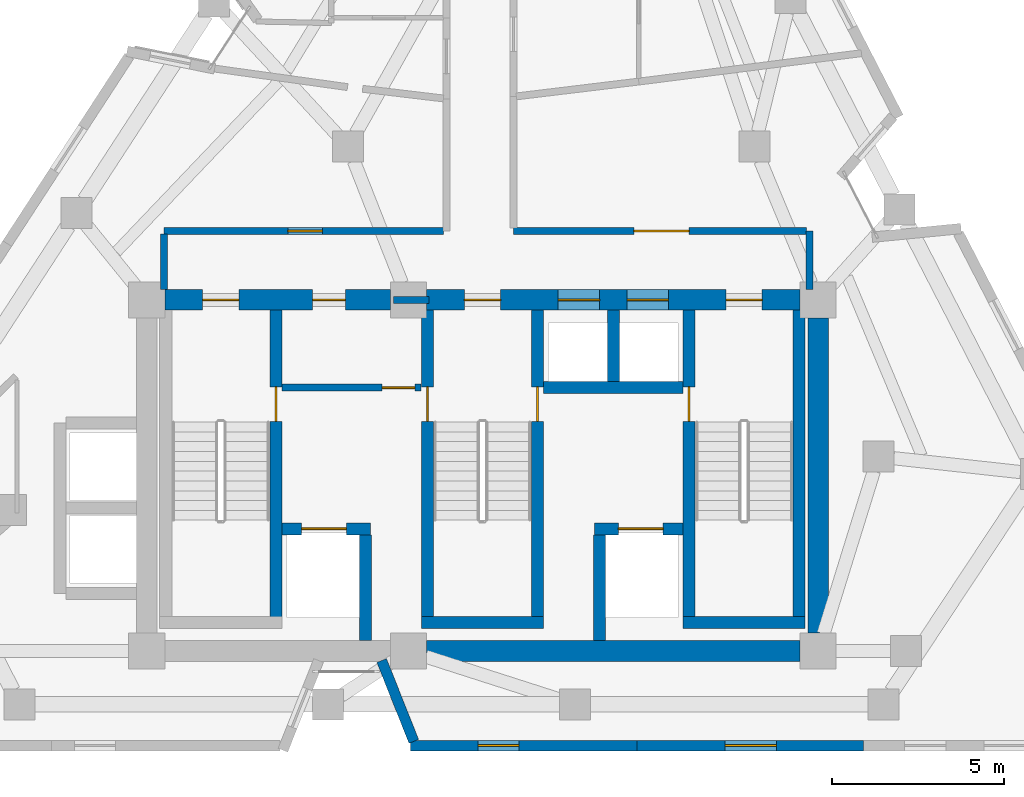
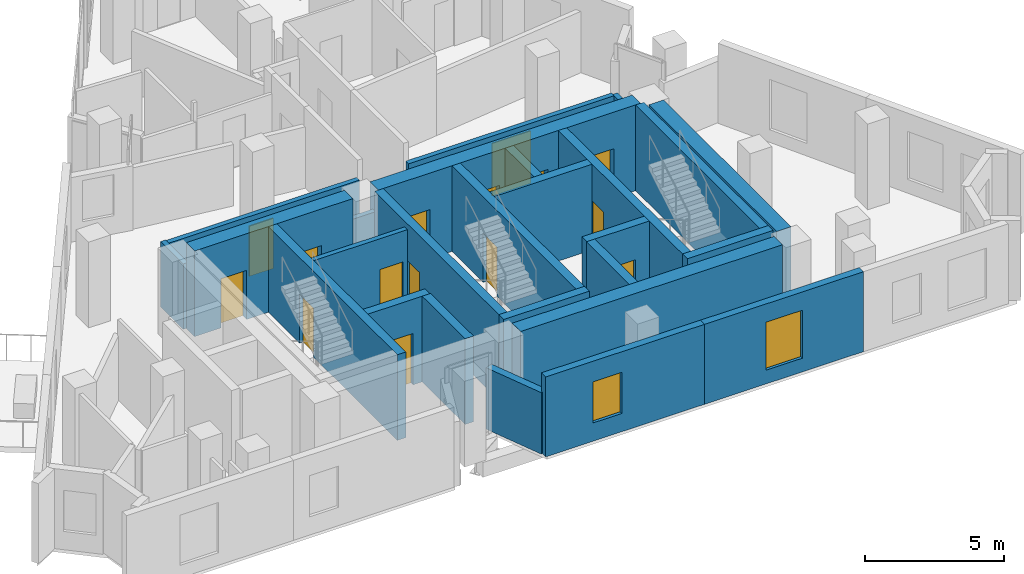
# One storey, part 6 of 11: 26 walls, 15 doors, 2 windows, 17 openings.
"""IFC4 building model written with IfcOpenShell, lengths in metres."""

from ifc_helpers import new_model, si_unit, direction, frame, frame_2d, origin, place, context, subcontext, project, spatial, rectangle, extrude, material, layer, layer_set, type_object, element, fill, save


model = new_model("IFC4")

# Units and contexts
model_context = context("Model", 3, precision=1e-05, world=origin(), true_north=direction((0.0, 1.0)))
body_context = subcontext(model_context, "Body", "Model", "MODEL_VIEW")
ifc_project = project(units=[si_unit("LENGTHUNIT", "METRE"), si_unit("AREAUNIT", "SQUARE_METRE"), si_unit("VOLUMEUNIT", "CUBIC_METRE"), si_unit("PLANEANGLEUNIT", "RADIAN"), si_unit("MASSUNIT", "GRAM", prefix="KILO")], contexts=[model_context])

# Site, building, storey
site_placement = place(None, origin())
site = spatial("IfcSite", under=ifc_project, at=site_placement, CompositionType="ELEMENT")
building_placement = place(site_placement, origin())
building = spatial("IfcBuilding", under=site, at=building_placement, Name="Almagre Mirador Tower", CompositionType="ELEMENT")
storey_placement = place(building_placement, frame((0.0, 0.0, 218.25)))
storey = spatial("IfcBuildingStorey", under=building, at=storey_placement, Name="L56", CompositionType="ELEMENT", Elevation=218.25)

# Wall, opening, window
ifc_material_1 = material(Name="Precast concrete C50/60", Category="concrete")
ifc_layer_1 = layer(ifc_material_1, 0.300048828125)
ifc_layer_set_1 = layer_set([ifc_layer_1], Name="Precast concrete C50/60")
wall_type_1 = type_object("IfcWallType", Name="WAL-EXT-300", PredefinedType="SOLIDWALL", material=ifc_layer_set_1)
wall_1_placement = place(storey_placement, frame((48.365234375, 1.800048828125, 0.0), z_axis=(0.0, 0.0, 1.0), x_axis=(-1.0, 0.0, 0.0)))
wall_1 = element("IfcWall", 1, at=wall_1_placement, inside=storey, type_object=wall_type_1, Name="L56 expressed almagre precast frame wall 20", PredefinedType="SOLIDWALL", context=body_context, shape_type="SweptSolid", body=[
    extrude(rectangle(XDim=6.574462890625, YDim=0.300048828125, at=frame_2d((3.287109375, 0.0))), origin(), (0.0, 0.0, 1.0), 3.5),
])
opening_1_placement = place(wall_1_placement, frame((2.52490234375, 0.0, 0.60009765625)))
opening_1 = element("IfcOpeningElement", 2, at=opening_1_placement, cuts=wall_1, Name="Opening WN-03", PredefinedType="OPENING", context=body_context, shape_type="SweptSolid", body=[
    extrude(rectangle(XDim=1.5, YDim=2.10009765625, at=frame_2d((0.75, 1.050048828125))), frame((0.0, 0.159902, 0.0), z_axis=(0.0, -1.0, 0.0), x_axis=(1.0, 0.0, 0.0)), (0.0, 0.0, 1.0), 0.320049),
])
ifc_material_2 = material(Name="Dark solar-control laminated hurricane glass", Category="glass")
window_type_1 = type_object("IfcWindowType", Name="WIN-1500X2100", PartitioningType="DOUBLE_PANEL_VERTICAL", PredefinedType="WINDOW", material=ifc_material_2)
window_1_placement = place(opening_1_placement, origin())
window_1 = element("IfcWindow", 3, at=window_1_placement, inside=storey, type_object=window_type_1, Name="L56 recessed hurricane window L56-UB-ST", OverallHeight=2.10009765625, OverallWidth=1.5, PartitioningType="SINGLE_PANEL", PredefinedType="WINDOW", context=body_context, shape_type="SweptSolid", body=[
    extrude(rectangle(XDim=1.5, YDim=2.10009765625, at=frame_2d((0.75, 1.050048828125))), frame((0.0, 0.030029296875, 0.0), z_axis=(0.0, -1.0, 0.0), x_axis=(1.0, 0.0, 0.0)), (0.0, 0.0, 1.0), 0.06005859375),
])
fill(opening_1, window_1)

wall_2_placement = place(storey_placement, frame((41.790771484375, 1.800048828125, 0.0), z_axis=(0.0, 0.0, 1.0), x_axis=(-1.0, 0.0, 0.0)))
wall_2 = element("IfcWall", 4, at=wall_2_placement, inside=storey, type_object=wall_type_1, Name="L56 expressed almagre precast frame wall 21", PredefinedType="SOLIDWALL", context=body_context, shape_type="SweptSolid", body=[
    extrude(rectangle(XDim=6.57470703125, YDim=0.300048828125, at=frame_2d((3.287353515625, 0.0))), origin(), (0.0, 0.0, 1.0), 3.5),
])
opening_2_placement = place(wall_2_placement, frame((3.425048828125, 0.0, 0.800048828125)))
opening_2 = element("IfcOpeningElement", 5, at=opening_2_placement, cuts=wall_2, Name="Opening WN-04", PredefinedType="OPENING", context=body_context, shape_type="SweptSolid", body=[
    extrude(rectangle(XDim=1.199951171875, YDim=1.800048828125, at=frame_2d((0.60009765625, 0.89990234375))), frame((0.0, 0.159902, 0.0), z_axis=(0.0, -1.0, 0.0), x_axis=(1.0, 0.0, 0.0)), (0.0, 0.0, 1.0), 0.320049),
])
ifc_material_3 = material(Name="Dark solar-control laminated hurricane glass", Category="glass")
window_type_2 = type_object("IfcWindowType", Name="WIN-1200X1800", PartitioningType="SINGLE_PANEL", PredefinedType="WINDOW", material=ifc_material_3)
window_2_placement = place(opening_2_placement, origin())
window_2 = element("IfcWindow", 6, at=window_2_placement, inside=storey, type_object=window_type_2, Name="L56 recessed hurricane window L56-UB-KT", OverallHeight=1.800048828125, OverallWidth=1.199951171875, PartitioningType="SINGLE_PANEL", PredefinedType="WINDOW", context=body_context, shape_type="SweptSolid", body=[
    extrude(rectangle(XDim=1.199951171875, YDim=1.800048828125, at=frame_2d((0.60009765625, 0.89990234375))), frame((0.0, 0.030029296875, 0.0), z_axis=(0.0, -1.0, 0.0), x_axis=(1.0, 0.0, 0.0)), (0.0, 0.0, 1.0), 0.06005859375),
])
fill(opening_2, window_2)

# Walls
wall_3_placement = place(storey_placement, frame((35.30615234375, 1.92529296875, 0.0), z_axis=(0.0, 0.0, 1.0), x_axis=(-0.369540985735, 0.929214431583, 0.0)))
element("IfcWall", 7, at=wall_3_placement, inside=storey, type_object=wall_type_1, Name="L56 expressed almagre precast frame wall 22", PredefinedType="SOLIDWALL", context=body_context, shape_type="SweptSolid", body=[
    extrude(rectangle(XDim=2.527099609375, YDim=0.300048828125, at=frame_2d((1.263671875, 0.0))), origin(), (0.0, 0.0, 1.0), 2.68994140625),
])
ifc_material_4 = material(Name="Gypsum acoustic stud partition", Category="other")
ifc_layer_2 = layer(ifc_material_4, 0.199951171875)
ifc_layer_set_2 = layer_set([ifc_layer_2], Name="Gypsum acoustic stud partition")
wall_type_2 = type_object("IfcWallType", Name="WAL-PRT-200-EI60", PredefinedType="PARTITIONING", material=ifc_layer_set_2)
wall_4_placement = place(storey_placement, frame((34.719970703125, 14.75, 0.0), z_axis=(0.0, 0.0, 1.0), x_axis=(1.0, 0.0, 0.0)))
element("IfcWall", 8, at=wall_4_placement, inside=storey, type_object=wall_type_2, Name="L56 core north closure wall", PredefinedType="PARTITIONING", context=body_context, shape_type="SweptSolid", body=[
    extrude(rectangle(XDim=1.030029296875, YDim=0.199951171875, at=frame_2d((0.51513671875, 0.0))), origin(), (0.0, 0.0, 1.0), 2.68505859375),
])

# Wall, opening, door
wall_5_placement = place(storey_placement, frame((31.47998046875, 12.199951171875, 0.0), z_axis=(0.0, 0.0, 1.0), x_axis=(1.0, 0.0, 0.0)))
wall_5 = element("IfcWall", 9, at=wall_5_placement, inside=storey, type_object=wall_type_2, Name="L56 FFL-1 north enclosure wall", PredefinedType="PARTITIONING", context=body_context, shape_type="SweptSolid", body=[
    extrude(rectangle(XDim=4.0400390625, YDim=0.199951171875, at=frame_2d((2.02001953125, 0.0))), origin(), (0.0, 0.0, 1.0), 3.5),
])
opening_3_placement = place(wall_5_placement, frame((2.905029296875, 0.0, 0.0)))
opening_3 = element("IfcOpeningElement", 10, at=opening_3_placement, cuts=wall_5, Name="Opening ID-02", PredefinedType="OPENING", context=body_context, shape_type="SweptSolid", body=[
    extrude(rectangle(XDim=0.949951171875, YDim=2.14990234375, at=frame_2d((0.47509765625, 1.074951171875))), frame((0.0, 0.110098, 0.0), z_axis=(0.0, -1.0, 0.0), x_axis=(1.0, 0.0, 0.0)), (0.0, 0.0, 1.0), 0.219951),
])
ifc_material_5 = material(Name="Fire-rated walnut timber", Category="wood")
door_type_1 = type_object("IfcDoorType", Name="DOR-FD60-950X2150", OperationType="NOTDEFINED", PredefinedType="DOOR", material=ifc_material_5)
door_1_placement = place(opening_3_placement, origin())
door_1 = element("IfcDoor", 11, at=door_1_placement, inside=storey, type_object=door_type_1, Name="DR-1729 L56 FFL-1 north smoke door", OperationType="SINGLE_SWING_LEFT", OverallHeight=2.14990234375, OverallWidth=0.949951171875, PredefinedType="DOOR", context=body_context, shape_type="SweptSolid", body=[
    extrude(rectangle(XDim=0.949951171875, YDim=2.14990234375, at=frame_2d((0.47509765625, 1.074951171875))), frame((0.0, 0.02490234375, 0.0), z_axis=(0.0, -1.0, 0.0), x_axis=(1.0, 0.0, 0.0)), (0.0, 0.0, 1.0), 0.050048828125),
])
fill(opening_3, door_1)

wall_6_placement = place(storey_placement, frame((36.1650390625, 16.75, 0.0), z_axis=(0.0, 0.0, 1.0), x_axis=(-1.0, 0.0, 0.0)))
wall_6 = element("IfcWall", 12, at=wall_6_placement, inside=storey, type_object=wall_type_2, Name="L56 interior partition 002", PredefinedType="PARTITIONING", context=body_context, shape_type="SweptSolid", body=[
    extrude(rectangle(XDim=8.114990234375, YDim=0.199951171875, at=frame_2d((4.0576171875, 0.0))), origin(), (0.0, 0.0, 1.0), 2.68505859375),
])
opening_4_placement = place(wall_6_placement, frame((3.514892578125, 0.0, 0.0)))
opening_4 = element("IfcOpeningElement", 13, at=opening_4_placement, cuts=wall_6, Name="Opening ID-01", PredefinedType="OPENING", context=body_context, shape_type="SweptSolid", body=[
    extrude(rectangle(XDim=1.0, YDim=2.199951171875, at=frame_2d((0.5, 1.10009765625))), frame((0.0, 0.110098, 0.0), z_axis=(0.0, -1.0, 0.0), x_axis=(1.0, 0.0, 0.0)), (0.0, 0.0, 1.0), 0.219951),
])
ifc_material_6 = material(Name="Fire-rated walnut timber", Category="wood")
door_type_2 = type_object("IfcDoorType", Name="DOR-FD60-1000X2200", OperationType="NOTDEFINED", PredefinedType="DOOR", material=ifc_material_6)
door_2_placement = place(opening_4_placement, origin())
door_2 = element("IfcDoor", 14, at=door_2_placement, inside=storey, type_object=door_type_2, Name="DR-1735 L56 interior door L56-RCOR to L56-UD-ST", OperationType="SINGLE_SWING_LEFT", OverallHeight=2.199951171875, OverallWidth=1.0, PredefinedType="DOOR", context=body_context, shape_type="SweptSolid", body=[
    extrude(rectangle(XDim=1.0, YDim=2.199951171875, at=frame_2d((0.5, 1.10009765625))), frame((0.0, 0.02490234375, 0.0), z_axis=(0.0, -1.0, 0.0), x_axis=(1.0, 0.0, 0.0)), (0.0, 0.0, 1.0), 0.050048828125),
])
fill(opening_4, door_2)

# Walls
wall_7_placement = place(storey_placement, frame((28.050048828125, 16.6650390625, 0.0), z_axis=(0.0, 0.0, 1.0), x_axis=(0.0, -1.0, 0.0)))
element("IfcWall", 15, at=wall_7_placement, inside=storey, type_object=wall_type_2, Name="L56 interior partition 003", PredefinedType="PARTITIONING", context=body_context, shape_type="SweptSolid", body=[
    extrude(rectangle(XDim=1.614990234375, YDim=0.199951171875, at=frame_2d((0.8076171875, 0.0))), origin(), (0.0, 0.0, 1.0), 2.862060546875),
])
wall_8_placement = place(storey_placement, frame((46.800048828125, 15.050048828125, 0.0), z_axis=(0.0, 0.0, 1.0), x_axis=(0.0, 1.0, 0.0)))
element("IfcWall", 16, at=wall_8_placement, inside=storey, type_object=wall_type_2, Name="L56 interior partition 004", PredefinedType="PARTITIONING", context=body_context, shape_type="SweptSolid", body=[
    extrude(rectangle(XDim=1.699951171875, YDim=0.199951171875, at=frame_2d((0.85009765625, 0.0))), origin(), (0.0, 0.0, 1.0), 2.68505859375),
])

# Wall, opening, door
wall_9_placement = place(storey_placement, frame((46.715087890625, 16.75, 0.0), z_axis=(0.0, 0.0, 1.0), x_axis=(-1.0, 0.0, 0.0)))
wall_9 = element("IfcWall", 17, at=wall_9_placement, inside=storey, type_object=wall_type_2, Name="L56 interior partition 005", PredefinedType="PARTITIONING", context=body_context, shape_type="SweptSolid", body=[
    extrude(rectangle(XDim=8.51513671875, YDim=0.199951171875, at=frame_2d((4.257568359375, 0.0))), origin(), (0.0, 0.0, 1.0), 2.68505859375),
])
opening_5_placement = place(wall_9_placement, frame((3.4150390625, 0.0, 0.0)))
opening_5 = element("IfcOpeningElement", 18, at=opening_5_placement, cuts=wall_9, Name="Opening ID-05", PredefinedType="OPENING", context=body_context, shape_type="SweptSolid", body=[
    extrude(rectangle(XDim=1.60009765625, YDim=2.300048828125, at=frame_2d((0.800048828125, 1.14990234375))), frame((0.0, 0.110098, 0.0), z_axis=(0.0, -1.0, 0.0), x_axis=(1.0, 0.0, 0.0)), (0.0, 0.0, 1.0), 0.219951),
])
ifc_material_7 = material(Name="Fire-rated acoustic timber", Category="wood")
door_type_3 = type_object("IfcDoorType", Name="DOR-FD60-1600X2300", OperationType="DOUBLE_DOOR_SINGLE_SWING", PredefinedType="DOOR", material=ifc_material_7)
door_3_placement = place(opening_5_placement, origin())
door_3 = element("IfcDoor", 19, at=door_3_placement, inside=storey, type_object=door_type_3, Name="DR-1734 L56 interior door L56-RCOR to L56-RST-F", OperationType="DOUBLE_DOOR_SINGLE_SWING", OverallHeight=2.300048828125, OverallWidth=1.60009765625, PredefinedType="DOOR", context=body_context, shape_type="SweptSolid", body=[
    extrude(rectangle(XDim=1.60009765625, YDim=2.300048828125, at=frame_2d((0.800048828125, 1.14990234375))), frame((0.0, 0.02490234375, 0.0), z_axis=(0.0, -1.0, 0.0), x_axis=(1.0, 0.0, 0.0)), (0.0, 0.0, 1.0), 0.050048828125),
])
fill(opening_5, door_3)

ifc_material_8 = material(Name="Concrete C60/75", Category="concrete")
ifc_layer_3 = layer(ifc_material_8, 0.35009765625)
ifc_layer_set_3 = layer_set([ifc_layer_3], Name="Concrete C60/75")
wall_type_3 = type_object("IfcWallType", Name="WAL-SHF-350", PredefinedType="SOLIDWALL", material=ifc_layer_set_3)
wall_10_placement = place(storey_placement, frame((31.300048828125, 5.199951171875, 0.0), z_axis=(0.0, 0.0, 1.0), x_axis=(0.0, 1.0, 0.0)))
wall_10 = element("IfcWall", 20, at=wall_10_placement, inside=storey, type_object=wall_type_3, Name="L56 shaft wall ST1-E", PredefinedType="SOLIDWALL", context=body_context, shape_type="SweptSolid", body=[
    extrude(rectangle(XDim=9.25, YDim=0.35009765625, at=frame_2d((4.625, 0.0))), origin(), (0.0, 0.0, 1.0), 3.75),
])
opening_6_placement = place(wall_10_placement, frame((6.02001953125, 0.0, 0.0)))
opening_6 = element("IfcOpeningElement", 21, at=opening_6_placement, cuts=wall_10, Name="Opening FD-01", PredefinedType="OPENING", context=body_context, shape_type="SweptSolid", body=[
    extrude(rectangle(XDim=1.0, YDim=2.14990234375, at=frame_2d((0.5, 1.074951171875))), frame((0.0, 0.185049, 0.0), z_axis=(0.0, -1.0, 0.0), x_axis=(1.0, 0.0, 0.0)), (0.0, 0.0, 1.0), 0.370098),
])
ifc_material_9 = material(Name="Fire-rated hollow steel", Category="steel")
door_type_4 = type_object("IfcDoorType", Name="DOR-FFL-1000X2150", OperationType="NOTDEFINED", PredefinedType="DOOR", material=ifc_material_9)
door_4_placement = place(opening_6_placement, origin())
door_4 = element("IfcDoor", 22, at=door_4_placement, inside=storey, type_object=door_type_4, Name="DR-1730 L56 FFL1-ST1 smokeproof door", OperationType="SINGLE_SWING_LEFT", OverallHeight=2.14990234375, OverallWidth=1.0, PredefinedType="DOOR", context=body_context, shape_type="SweptSolid", body=[
    extrude(rectangle(XDim=1.0, YDim=2.14990234375, at=frame_2d((0.5, 1.074951171875))), frame((0.0, 0.02490234375, 0.0), z_axis=(0.0, -1.0, 0.0), x_axis=(1.0, 0.0, 0.0)), (0.0, 0.0, 1.0), 0.050048828125),
])
fill(opening_6, door_4)

wall_11_placement = place(storey_placement, frame((35.699951171875, 5.199951171875, 0.0), z_axis=(0.0, 0.0, 1.0), x_axis=(0.0, 1.0, 0.0)))
wall_11 = element("IfcWall", 23, at=wall_11_placement, inside=storey, type_object=wall_type_3, Name="L56 shaft wall ST2-W", PredefinedType="SOLIDWALL", context=body_context, shape_type="SweptSolid", body=[
    extrude(rectangle(XDim=9.25, YDim=0.35009765625, at=frame_2d((4.625, 0.0))), origin(), (0.0, 0.0, 1.0), 3.75),
])
opening_7_placement = place(wall_11_placement, frame((6.02001953125, 0.0, 0.0)))
opening_7 = element("IfcOpeningElement", 24, at=opening_7_placement, cuts=wall_11, Name="Opening FD-01", PredefinedType="OPENING", context=body_context, shape_type="SweptSolid", body=[
    extrude(rectangle(XDim=1.0, YDim=2.14990234375, at=frame_2d((0.5, 1.074951171875))), frame((0.0, 0.185049, 0.0), z_axis=(0.0, -1.0, 0.0), x_axis=(1.0, 0.0, 0.0)), (0.0, 0.0, 1.0), 0.370098),
])
door_5_placement = place(opening_7_placement, origin())
door_5 = element("IfcDoor", 25, at=door_5_placement, inside=storey, type_object=door_type_4, Name="DR-1731 L56 FFL1-ST2 smokeproof door", OperationType="SINGLE_SWING_RIGHT", OverallHeight=2.14990234375, OverallWidth=1.0, PredefinedType="DOOR", context=body_context, shape_type="SweptSolid", body=[
    extrude(rectangle(XDim=1.0, YDim=2.14990234375, at=frame_2d((0.5, 1.074951171875))), frame((0.0, 0.02490234375, 0.0), z_axis=(0.0, -1.0, 0.0), x_axis=(1.0, 0.0, 0.0)), (0.0, 0.0, 1.0), 0.050048828125),
])
fill(opening_7, door_5)

wall_12_placement = place(storey_placement, frame((38.89990234375, 5.199951171875, 0.0), z_axis=(0.0, 0.0, 1.0), x_axis=(0.0, 1.0, 0.0)))
wall_12 = element("IfcWall", 26, at=wall_12_placement, inside=storey, type_object=wall_type_3, Name="L56 shaft wall ST2-E", PredefinedType="SOLIDWALL", context=body_context, shape_type="SweptSolid", body=[
    extrude(rectangle(XDim=9.25, YDim=0.35009765625, at=frame_2d((4.625, 0.0))), origin(), (0.0, 0.0, 1.0), 3.75),
])
opening_8_placement = place(wall_12_placement, frame((6.02001953125, 0.0, 0.0)))
opening_8 = element("IfcOpeningElement", 27, at=opening_8_placement, cuts=wall_12, Name="Opening FD-01", PredefinedType="OPENING", context=body_context, shape_type="SweptSolid", body=[
    extrude(rectangle(XDim=1.0, YDim=2.14990234375, at=frame_2d((0.5, 1.074951171875))), frame((0.0, 0.185049, 0.0), z_axis=(0.0, -1.0, 0.0), x_axis=(1.0, 0.0, 0.0)), (0.0, 0.0, 1.0), 0.370098),
])
door_6_placement = place(opening_8_placement, origin())
door_6 = element("IfcDoor", 28, at=door_6_placement, inside=storey, type_object=door_type_4, Name="DR-1732 L56 FFL2-ST2 smokeproof door", OperationType="SINGLE_SWING_LEFT", OverallHeight=2.14990234375, OverallWidth=1.0, PredefinedType="DOOR", context=body_context, shape_type="SweptSolid", body=[
    extrude(rectangle(XDim=1.0, YDim=2.14990234375, at=frame_2d((0.5, 1.074951171875))), frame((0.0, 0.02490234375, 0.0), z_axis=(0.0, -1.0, 0.0), x_axis=(1.0, 0.0, 0.0)), (0.0, 0.0, 1.0), 0.050048828125),
])
fill(opening_8, door_6)

# Wall
wall_13_placement = place(storey_placement, frame((35.52490234375, 5.375, 0.0), z_axis=(0.0, 0.0, 1.0), x_axis=(1.0, 0.0, 0.0)))
element("IfcWall", 29, at=wall_13_placement, inside=storey, type_object=wall_type_3, Name="L56 shaft wall ST2-S", PredefinedType="SOLIDWALL", context=body_context, shape_type="SweptSolid", body=[
    extrude(rectangle(XDim=3.550048828125, YDim=0.35009765625, at=frame_2d((1.77490234375, 0.0))), origin(), (0.0, 0.0, 1.0), 3.75),
])

# Wall, opening, door
wall_14_placement = place(storey_placement, frame((43.300048828125, 5.199951171875, 0.0), z_axis=(0.0, 0.0, 1.0), x_axis=(0.0, 1.0, 0.0)))
wall_14 = element("IfcWall", 30, at=wall_14_placement, inside=storey, type_object=wall_type_3, Name="L56 shaft wall ST3-W", PredefinedType="SOLIDWALL", context=body_context, shape_type="SweptSolid", body=[
    extrude(rectangle(XDim=9.25, YDim=0.35009765625, at=frame_2d((4.625, 0.0))), origin(), (0.0, 0.0, 1.0), 3.75),
])
opening_9_placement = place(wall_14_placement, frame((6.02001953125, 0.0, 0.0)))
opening_9 = element("IfcOpeningElement", 31, at=opening_9_placement, cuts=wall_14, Name="Opening FD-01", PredefinedType="OPENING", context=body_context, shape_type="SweptSolid", body=[
    extrude(rectangle(XDim=1.0, YDim=2.14990234375, at=frame_2d((0.5, 1.074951171875))), frame((0.0, 0.185049, 0.0), z_axis=(0.0, -1.0, 0.0), x_axis=(1.0, 0.0, 0.0)), (0.0, 0.0, 1.0), 0.370098),
])
door_7_placement = place(opening_9_placement, origin())
door_7 = element("IfcDoor", 32, at=door_7_placement, inside=storey, type_object=door_type_4, Name="DR-1733 L56 FFL2-ST3 smokeproof door", OperationType="SINGLE_SWING_RIGHT", OverallHeight=2.14990234375, OverallWidth=1.0, PredefinedType="DOOR", context=body_context, shape_type="SweptSolid", body=[
    extrude(rectangle(XDim=1.0, YDim=2.14990234375, at=frame_2d((0.5, 1.074951171875))), frame((0.0, 0.02490234375, 0.0), z_axis=(0.0, -1.0, 0.0), x_axis=(1.0, 0.0, 0.0)), (0.0, 0.0, 1.0), 0.050048828125),
])
fill(opening_9, door_7)

# Walls
wall_15_placement = place(storey_placement, frame((46.5, 5.199951171875, 0.0), z_axis=(0.0, 0.0, 1.0), x_axis=(0.0, 1.0, 0.0)))
element("IfcWall", 33, at=wall_15_placement, inside=storey, type_object=wall_type_3, Name="L56 shaft wall ST3-E", PredefinedType="SOLIDWALL", context=body_context, shape_type="SweptSolid", body=[
    extrude(rectangle(XDim=9.25, YDim=0.35009765625, at=frame_2d((4.625, 0.0))), origin(), (0.0, 0.0, 1.0), 3.75),
])
wall_16_placement = place(storey_placement, frame((43.125, 5.375, 0.0), z_axis=(0.0, 0.0, 1.0), x_axis=(1.0, 0.0, 0.0)))
element("IfcWall", 34, at=wall_16_placement, inside=storey, type_object=wall_type_3, Name="L56 shaft wall ST3-S", PredefinedType="SOLIDWALL", context=body_context, shape_type="SweptSolid", body=[
    extrude(rectangle(XDim=3.550048828125, YDim=0.35009765625, at=frame_2d((1.77490234375, 0.0))), origin(), (0.0, 0.0, 1.0), 3.75),
])

# Wall, opening, door
wall_17_placement = place(storey_placement, frame((31.47509765625, 8.10009765625, 0.0), z_axis=(0.0, 0.0, 1.0), x_axis=(1.0, 0.0, 0.0)))
wall_17 = element("IfcWall", 35, at=wall_17_placement, inside=storey, type_object=wall_type_3, Name="L56 shaft wall FSAE1-N", PredefinedType="SOLIDWALL", context=body_context, shape_type="SweptSolid", body=[
    extrude(rectangle(XDim=2.574951171875, YDim=0.35009765625, at=frame_2d((1.28759765625, 0.0))), origin(), (0.0, 0.0, 1.0), 3.75),
])
opening_10_placement = place(wall_17_placement, frame((0.574951171875, 0.0, 0.0)))
opening_10 = element("IfcOpeningElement", 36, at=opening_10_placement, cuts=wall_17, Name="Opening LD-03", PredefinedType="OPENING", context=body_context, shape_type="SweptSolid", body=[
    extrude(rectangle(XDim=1.300048828125, YDim=2.25, at=frame_2d((0.64990234375, 1.125))), frame((0.0, 0.185049, 0.0), z_axis=(0.0, -1.0, 0.0), x_axis=(1.0, 0.0, 0.0)), (0.0, 0.0, 1.0), 0.370098),
])
ifc_material_10 = material(Name="Hollow stainless steel", Category="steel")
door_type_5 = type_object("IfcDoorType", Name="DOR-LD-1300X2250", OperationType="DOUBLE_DOOR_SLIDING", PredefinedType="DOOR", material=ifc_material_10)
door_8_placement = place(opening_10_placement, origin())
door_8 = element("IfcDoor", 37, at=door_8_placement, inside=storey, type_object=door_type_5, Name="DR-1745 L56 FSAE-1 lift landing door", OperationType="DOUBLE_DOOR_SLIDING", OverallHeight=2.25, OverallWidth=1.300048828125, PredefinedType="DOOR", context=body_context, shape_type="SweptSolid", body=[
    extrude(rectangle(XDim=1.300048828125, YDim=2.25, at=frame_2d((0.64990234375, 1.125))), frame((0.0, 0.02490234375, 0.0), z_axis=(0.0, -1.0, 0.0), x_axis=(1.0, 0.0, 0.0)), (0.0, 0.0, 1.0), 0.050048828125),
])
fill(opening_10, door_8)

wall_18_placement = place(storey_placement, frame((40.550048828125, 8.10009765625, 0.0), z_axis=(0.0, 0.0, 1.0), x_axis=(1.0, 0.0, 0.0)))
wall_18 = element("IfcWall", 38, at=wall_18_placement, inside=storey, type_object=wall_type_3, Name="L56 shaft wall FSAE2-N", PredefinedType="SOLIDWALL", context=body_context, shape_type="SweptSolid", body=[
    extrude(rectangle(XDim=2.574951171875, YDim=0.35009765625, at=frame_2d((1.28759765625, 0.0))), origin(), (0.0, 0.0, 1.0), 3.75),
])
opening_11_placement = place(wall_18_placement, frame((0.699951171875, 0.0, 0.0)))
opening_11 = element("IfcOpeningElement", 39, at=opening_11_placement, cuts=wall_18, Name="Opening LD-03", PredefinedType="OPENING", context=body_context, shape_type="SweptSolid", body=[
    extrude(rectangle(XDim=1.300048828125, YDim=2.25, at=frame_2d((0.64990234375, 1.125))), frame((0.0, 0.185049, 0.0), z_axis=(0.0, -1.0, 0.0), x_axis=(1.0, 0.0, 0.0)), (0.0, 0.0, 1.0), 0.370098),
])
door_9_placement = place(opening_11_placement, origin())
door_9 = element("IfcDoor", 40, at=door_9_placement, inside=storey, type_object=door_type_5, Name="DR-1746 L56 FSAE-2 lift landing door", OperationType="DOUBLE_DOOR_SLIDING", OverallHeight=2.25, OverallWidth=1.300048828125, PredefinedType="DOOR", context=body_context, shape_type="SweptSolid", body=[
    extrude(rectangle(XDim=1.300048828125, YDim=2.25, at=frame_2d((0.64990234375, 1.125))), frame((0.0, 0.02490234375, 0.0), z_axis=(0.0, -1.0, 0.0), x_axis=(1.0, 0.0, 0.0)), (0.0, 0.0, 1.0), 0.050048828125),
])
fill(opening_11, door_9)

# Walls
for number, where, z_axis, x_axis, name in (
    (41, (33.89990234375, 4.85009765625, 0.0), (0.0, 0.0, 1.0), (0.0, 1.0, 0.0), "L56 shaft wall FSAE1-E"),
    (42, (40.699951171875, 4.85009765625, 0.0), (0.0, 0.0, 1.0), (0.0, 1.0, 0.0), "L56 shaft wall FSAE2-W"),
):
    element("IfcWall", number, at=place(storey_placement, frame(where, z_axis=z_axis, x_axis=x_axis)), inside=storey, type_object=wall_type_3, Name=name, PredefinedType="SOLIDWALL", context=body_context, shape_type="SweptSolid", body=[
        extrude(rectangle(XDim=3.074951171875, YDim=0.35009765625, at=frame_2d((1.53759765625, 0.0))), origin(), (0.0, 0.0, 1.0), 3.75),
    ])
wall_19_placement = place(storey_placement, frame((39.074951171875, 12.199951171875, 0.0), z_axis=(0.0, 0.0, 1.0), x_axis=(1.0, 0.0, 0.0)))
element("IfcWall", 43, at=wall_19_placement, inside=storey, type_object=wall_type_3, Name="L56 shaft wall PLH-S", PredefinedType="SOLIDWALL", context=body_context, shape_type="SweptSolid", body=[
    extrude(rectangle(XDim=4.050048828125, YDim=0.35009765625, at=frame_2d((2.02490234375, 0.0))), origin(), (0.0, 0.0, 1.0), 3.75),
])
wall_20_placement = place(storey_placement, frame((41.10009765625, 12.375, 0.0), z_axis=(0.0, 0.0, 1.0), x_axis=(0.0, 1.0, 0.0)))
element("IfcWall", 44, at=wall_20_placement, inside=storey, type_object=wall_type_3, Name="L56 shaft wall PLH-M", PredefinedType="SOLIDWALL", context=body_context, shape_type="SweptSolid", body=[
    extrude(rectangle(XDim=2.074951171875, YDim=0.35009765625, at=frame_2d((1.03759765625, 0.0))), origin(), (0.0, 0.0, 1.0), 3.75),
])
ifc_material_11 = material(Name="Concrete C60/75", Category="concrete")
ifc_layer_4 = layer(ifc_material_11, 0.60009765625)
ifc_layer_set_4 = layer_set([ifc_layer_4], Name="Concrete C60/75")
wall_type_4 = type_object("IfcWallType", Name="WAL-SHR-600", PredefinedType="SHEAR", material=ifc_layer_set_4)
wall_21_placement = place(storey_placement, frame((35.675048828125, 4.550048828125, 0.0), z_axis=(0.0, 0.0, 1.0), x_axis=(1.0, 0.0, 0.0)))
element("IfcWall", 45, at=wall_21_placement, inside=storey, type_object=wall_type_4, Name="L56 core shear wall S2", PredefinedType="SHEAR", context=body_context, shape_type="SweptSolid", body=[
    extrude(rectangle(XDim=10.849853515625, YDim=0.60009765625, at=frame_2d((5.4248046875, 0.0))), origin(), (0.0, 0.0, 1.0), 3.75),
])

# Wall, openings, doors
wall_22_placement = place(storey_placement, frame((28.074951171875, 14.75, 0.0), z_axis=(0.0, 0.0, 1.0), x_axis=(1.0, 0.0, 0.0)))
wall_22 = element("IfcWall", 46, at=wall_22_placement, inside=storey, type_object=wall_type_4, Name="L56 core shear wall N1", PredefinedType="SHEAR", context=body_context, shape_type="SweptSolid", body=[
    extrude(rectangle(XDim=6.550048828125, YDim=0.60009765625, at=frame_2d((3.27490234375, 0.0))), origin(), (0.0, 0.0, 1.0), 3.75),
])
opening_12_placement = place(wall_22_placement, frame((1.10009765625, 0.0, 0.0)))
opening_12 = element("IfcOpeningElement", 47, at=opening_12_placement, cuts=wall_22, Name="Opening SD-01", PredefinedType="OPENING", context=body_context, shape_type="SweptSolid", body=[
    extrude(rectangle(XDim=1.050048828125, YDim=2.14990234375, at=frame_2d((0.52490234375, 1.074951171875))), frame((0.0, 0.310049, 0.0), z_axis=(0.0, -1.0, 0.0), x_axis=(1.0, 0.0, 0.0)), (0.0, 0.0, 1.0), 0.620098),
])
opening_13_placement = place(wall_22_placement, frame((4.2900390625, 0.0, 0.0)))
opening_13 = element("IfcOpeningElement", 48, at=opening_13_placement, cuts=wall_22, Name="Opening FD-02", PredefinedType="OPENING", context=body_context, shape_type="SweptSolid", body=[
    extrude(rectangle(XDim=0.949951171875, YDim=2.14990234375, at=frame_2d((0.47509765625, 1.074951171875))), frame((0.0, 0.310049, 0.0), z_axis=(0.0, -1.0, 0.0), x_axis=(1.0, 0.0, 0.0)), (0.0, 0.0, 1.0), 0.620098),
])
ifc_material_12 = material(Name="Fire-rated hollow steel", Category="steel")
door_type_6 = type_object("IfcDoorType", Name="DOR-FD90-950X2150", OperationType="NOTDEFINED", PredefinedType="DOOR", material=ifc_material_12)
door_10_placement = place(opening_13_placement, origin())
door_10 = element("IfcDoor", 49, at=door_10_placement, inside=storey, type_object=door_type_6, Name="DR-1728 L56 core equipment room north door", OperationType="SINGLE_SWING_RIGHT", OverallHeight=2.14990234375, OverallWidth=0.949951171875, PredefinedType="DOOR", context=body_context, shape_type="SweptSolid", body=[
    extrude(rectangle(XDim=0.949951171875, YDim=2.14990234375, at=frame_2d((0.47509765625, 1.074951171875))), frame((0.0, 0.02490234375, 0.0), z_axis=(0.0, -1.0, 0.0), x_axis=(1.0, 0.0, 0.0)), (0.0, 0.0, 1.0), 0.050048828125),
])
fill(opening_13, door_10)
ifc_material_13 = material(Name="Fire-rated hollow steel", Category="steel")
door_type_7 = type_object("IfcDoorType", Name="DOR-ST-1050X2150", OperationType="NOTDEFINED", PredefinedType="DOOR", material=ifc_material_13)
door_11_placement = place(opening_12_placement, origin())
door_11 = element("IfcDoor", 50, at=door_11_placement, inside=storey, type_object=door_type_7, Name="DR-1749 L56 protected exit stair ST-1 door", OperationType="SINGLE_SWING_RIGHT", OverallHeight=2.14990234375, OverallWidth=1.050048828125, PredefinedType="DOOR", context=body_context, shape_type="SweptSolid", body=[
    extrude(rectangle(XDim=1.050048828125, YDim=2.14990234375, at=frame_2d((0.52490234375, 1.074951171875))), frame((0.0, 0.02490234375, 0.0), z_axis=(0.0, -1.0, 0.0), x_axis=(1.0, 0.0, 0.0)), (0.0, 0.0, 1.0), 0.050048828125),
])
fill(opening_12, door_11)

wall_23_placement = place(storey_placement, frame((35.675048828125, 14.75, 0.0), z_axis=(0.0, 0.0, 1.0), x_axis=(1.0, 0.0, 0.0)))
wall_23 = element("IfcWall", 51, at=wall_23_placement, inside=storey, type_object=wall_type_4, Name="L56 core shear wall N2", PredefinedType="SHEAR", context=body_context, shape_type="SweptSolid", body=[
    extrude(rectangle(XDim=10.849853515625, YDim=0.60009765625, at=frame_2d((5.4248046875, 0.0))), origin(), (0.0, 0.0, 1.0), 3.75),
])
opening_14_placement = place(wall_23_placement, frame((1.10009765625, 0.0, 0.0)))
opening_14 = element("IfcOpeningElement", 52, at=opening_14_placement, cuts=wall_23, Name="Opening SD-01", PredefinedType="OPENING", context=body_context, shape_type="SweptSolid", body=[
    extrude(rectangle(XDim=1.050048828125, YDim=2.14990234375, at=frame_2d((0.52490234375, 1.074951171875))), frame((0.0, 0.310049, 0.0), z_axis=(0.0, -1.0, 0.0), x_axis=(1.0, 0.0, 0.0)), (0.0, 0.0, 1.0), 0.620098),
])
opening_15_placement = place(wall_23_placement, frame((8.699951171875, 0.0, 0.0)))
opening_15 = element("IfcOpeningElement", 53, at=opening_15_placement, cuts=wall_23, Name="Opening SD-01", PredefinedType="OPENING", context=body_context, shape_type="SweptSolid", body=[
    extrude(rectangle(XDim=1.050048828125, YDim=2.14990234375, at=frame_2d((0.52490234375, 1.074951171875))), frame((0.0, 0.310049, 0.0), z_axis=(0.0, -1.0, 0.0), x_axis=(1.0, 0.0, 0.0)), (0.0, 0.0, 1.0), 0.620098),
])
opening_16_placement = place(wall_23_placement, frame((3.824951171875, 0.0, 0.0)))
opening_16 = element("IfcOpeningElement", 54, at=opening_16_placement, cuts=wall_23, Name="Opening LD-02", PredefinedType="OPENING", context=body_context, shape_type="SweptSolid", body=[
    extrude(rectangle(XDim=1.199951171875, YDim=2.199951171875, at=frame_2d((0.60009765625, 1.10009765625))), frame((0.0, 0.310049, 0.0), z_axis=(0.0, -1.0, 0.0), x_axis=(1.0, 0.0, 0.0)), (0.0, 0.0, 1.0), 0.620098),
])
opening_17_placement = place(wall_23_placement, frame((5.824951171875, 0.0, 0.0)))
opening_17 = element("IfcOpeningElement", 55, at=opening_17_placement, cuts=wall_23, Name="Opening LD-02", PredefinedType="OPENING", context=body_context, shape_type="SweptSolid", body=[
    extrude(rectangle(XDim=1.199951171875, YDim=2.199951171875, at=frame_2d((0.60009765625, 1.10009765625))), frame((0.0, 0.310049, 0.0), z_axis=(0.0, -1.0, 0.0), x_axis=(1.0, 0.0, 0.0)), (0.0, 0.0, 1.0), 0.620098),
])
ifc_material_14 = material(Name="Hollow stainless steel", Category="steel")
door_type_8 = type_object("IfcDoorType", Name="DOR-LD-1200X2200", OperationType="DOUBLE_DOOR_SLIDING", PredefinedType="DOOR", material=ifc_material_14)
door_12_placement = place(opening_16_placement, origin())
door_12 = element("IfcDoor", 56, at=door_12_placement, inside=storey, type_object=door_type_8, Name="DR-1747 L56 PL-H1 lift landing door", OperationType="DOUBLE_DOOR_SLIDING", OverallHeight=2.199951171875, OverallWidth=1.199951171875, PredefinedType="DOOR", context=body_context, shape_type="SweptSolid", body=[
    extrude(rectangle(XDim=1.199951171875, YDim=2.199951171875, at=frame_2d((0.60009765625, 1.10009765625))), frame((0.0, 0.02490234375, 0.0), z_axis=(0.0, -1.0, 0.0), x_axis=(1.0, 0.0, 0.0)), (0.0, 0.0, 1.0), 0.050048828125),
])
fill(opening_16, door_12)
door_13_placement = place(opening_17_placement, origin())
door_13 = element("IfcDoor", 57, at=door_13_placement, inside=storey, type_object=door_type_8, Name="DR-1748 L56 PL-H2 lift landing door", OperationType="DOUBLE_DOOR_SLIDING", OverallHeight=2.199951171875, OverallWidth=1.199951171875, PredefinedType="DOOR", context=body_context, shape_type="SweptSolid", body=[
    extrude(rectangle(XDim=1.199951171875, YDim=2.199951171875, at=frame_2d((0.60009765625, 1.10009765625))), frame((0.0, 0.02490234375, 0.0), z_axis=(0.0, -1.0, 0.0), x_axis=(1.0, 0.0, 0.0)), (0.0, 0.0, 1.0), 0.050048828125),
])
fill(opening_17, door_13)
door_14_placement = place(opening_14_placement, origin())
door_14 = element("IfcDoor", 58, at=door_14_placement, inside=storey, type_object=door_type_7, Name="DR-1750 L56 protected exit stair ST-2 door", OperationType="SINGLE_SWING_LEFT", OverallHeight=2.14990234375, OverallWidth=1.050048828125, PredefinedType="DOOR", context=body_context, shape_type="SweptSolid", body=[
    extrude(rectangle(XDim=1.050048828125, YDim=2.14990234375, at=frame_2d((0.52490234375, 1.074951171875))), frame((0.0, 0.02490234375, 0.0), z_axis=(0.0, -1.0, 0.0), x_axis=(1.0, 0.0, 0.0)), (0.0, 0.0, 1.0), 0.050048828125),
])
fill(opening_14, door_14)
door_15_placement = place(opening_15_placement, origin())
door_15 = element("IfcDoor", 59, at=door_15_placement, inside=storey, type_object=door_type_7, Name="DR-1751 L56 protected exit stair ST-3 door", OperationType="SINGLE_SWING_RIGHT", OverallHeight=2.14990234375, OverallWidth=1.050048828125, PredefinedType="DOOR", context=body_context, shape_type="SweptSolid", body=[
    extrude(rectangle(XDim=1.050048828125, YDim=2.14990234375, at=frame_2d((0.52490234375, 1.074951171875))), frame((0.0, 0.02490234375, 0.0), z_axis=(0.0, -1.0, 0.0), x_axis=(1.0, 0.0, 0.0)), (0.0, 0.0, 1.0), 0.050048828125),
])
fill(opening_15, door_15)

# Wall
wall_24_placement = place(storey_placement, frame((47.050048828125, 5.074951171875, 0.0), z_axis=(0.0, 0.0, 1.0), x_axis=(0.0, 1.0, 0.0)))
element("IfcWall", 60, at=wall_24_placement, inside=storey, type_object=wall_type_4, Name="L56 core shear wall E1", PredefinedType="SHEAR", context=body_context, shape_type="SweptSolid", body=[
    extrude(rectangle(XDim=9.150146484375, YDim=0.60009765625, at=frame_2d((4.5751953125, 0.0))), origin(), (0.0, 0.0, 1.0), 3.75),
])

save(model, "model.ifc")
